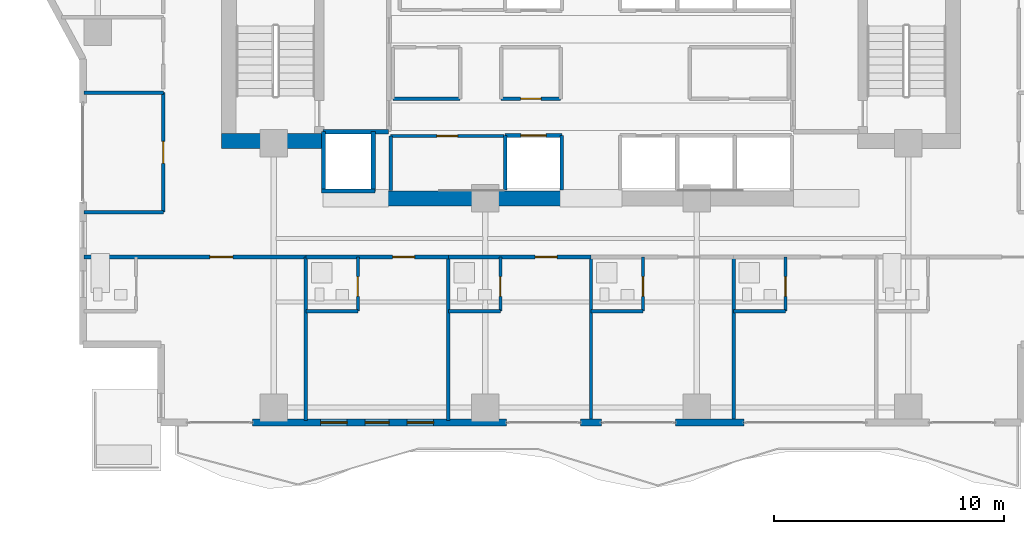
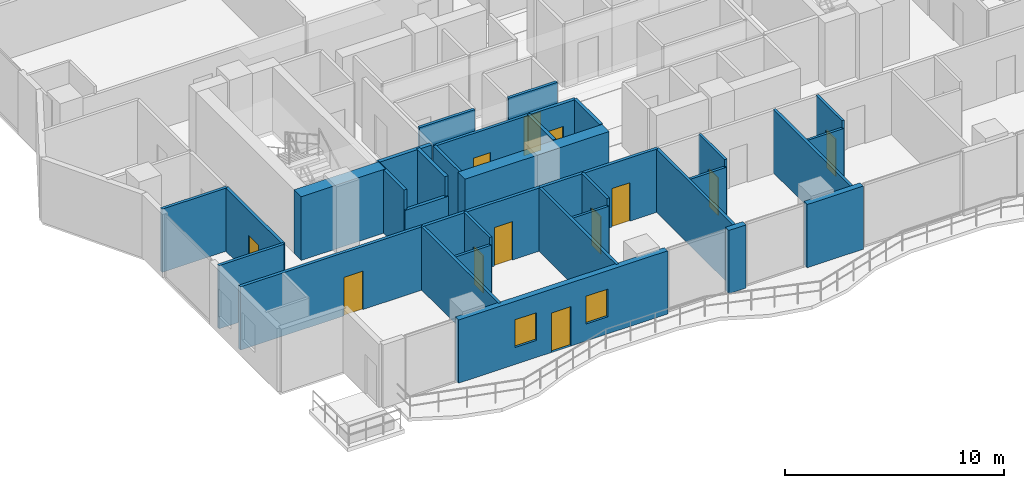
# One storey, part 24 of 32: 34 walls, 12 doors, 2 windows, 14 openings.
"""IFC4 building model written with IfcOpenShell, lengths in metres."""

import ifcopenshell
import ifcopenshell.guid

model = None  # the IFC model being written
_history = None  # IfcOwnerHistory: only IFC2X3 demands one
_inside = {}  # id of a spatial element -> (the spatial element, [elements in it])
_under = {}  # id of a project, library or spatial element -> (it, [spatial elements below it])
_declared = {}  # id of a project -> (the project, [libraries it declares])
_typed = {}  # id of a type object -> (the type object, [elements of that type])
_made_of = {}  # id of a material, layer set ... -> (it, [elements and type objects made of it])


def new_model(schema):
    """Start an empty IFC model of exactly this schema.

    Asked for "IFC4X3", IfcOpenShell would pick the latest addendum, in which some entities
    have other attributes; the version numbers below select the first issue.
    IFC2X3 requires an IfcOwnerHistory on every rooted entity: one is made here for all.
    """
    global model, _history
    if schema == "IFC4X3":
        model = ifcopenshell.file(schema_version=(4, 3, 0, 0))
    else:
        model = ifcopenshell.file(schema=schema)
    _inside.clear()
    _under.clear()
    _declared.clear()
    _typed.clear()
    _made_of.clear()
    _history = None
    if model.schema == "IFC2X3":
        org = make("IfcOrganization", Name="unknown")
        user = make(
            "IfcPersonAndOrganization",
            ThePerson=make("IfcPerson", FamilyName="unknown"),
            TheOrganization=org,
        )
        app = make(
            "IfcApplication",
            ApplicationDeveloper=org,
            Version="unknown",
            ApplicationFullName="unknown",
            ApplicationIdentifier="unknown",
        )
        _history = make(
            "IfcOwnerHistory",
            OwningUser=user,
            OwningApplication=app,
            ChangeAction="ADDED",
            CreationDate=0,
        )
    return model


def make(cls, **values):
    """One entity of the class cls with the attributes given. An attribute that is None is left unset."""
    return model.create_entity(
        cls, **{name: value for name, value in values.items() if value is not None}
    )


def rooted(cls, **values):
    """An entity with a GlobalId (a new one), such as an element, a storey or a relation."""
    return make(cls, GlobalId=ifcopenshell.guid.new(), OwnerHistory=_history, **values)


def si_unit(unit_type, name, prefix=None):
    """IfcSIUnit, for example si_unit("LENGTHUNIT", "METRE", prefix="MILLI")."""
    return make("IfcSIUnit", UnitType=unit_type, Prefix=prefix, Name=name)


def assignment(units):
    """IfcUnitAssignment: the units of a project."""
    return None if units is None else make("IfcUnitAssignment", Units=units)


def point(xyz):
    """IfcCartesianPoint."""
    return None if xyz is None else make("IfcCartesianPoint", Coordinates=xyz)


def direction(xyz):
    """IfcDirection."""
    return None if xyz is None else make("IfcDirection", DirectionRatios=xyz)


def frame(location, z_axis=None, x_axis=None):
    """IfcAxis2Placement3D, a coordinate frame: its origin and axes. An axis left out is left unset."""
    return make(
        "IfcAxis2Placement3D",
        Location=point(location),
        Axis=direction(z_axis),
        RefDirection=direction(x_axis),
    )


def frame_2d(location, x_axis=None):
    """IfcAxis2Placement2D, a coordinate frame in the plane: its origin and x axis."""
    return make(
        "IfcAxis2Placement2D", Location=point(location), RefDirection=direction(x_axis)
    )


def origin():
    """The frame at (0, 0, 0) with its axes left unset."""
    return frame((0.0, 0.0, 0.0))


def place(relative_to, where):
    """IfcLocalPlacement: puts the frame where relative to a parent placement (None: the world)."""
    return make(
        "IfcLocalPlacement", PlacementRelTo=relative_to, RelativePlacement=where
    )


def context(
    kind, dimensions, precision=None, world=None, true_north=None, identifier=None
):
    """IfcGeometricRepresentationContext, for example the 3D "Model" context."""
    return make(
        "IfcGeometricRepresentationContext",
        ContextIdentifier=identifier,
        ContextType=kind,
        CoordinateSpaceDimension=dimensions,
        Precision=precision,
        WorldCoordinateSystem=world,
        TrueNorth=true_north,
    )


def subcontext(parent, identifier, kind, view, scale=None):
    """IfcGeometricRepresentationSubContext, for example "Body" below "Model"."""
    return make(
        "IfcGeometricRepresentationSubContext",
        ContextIdentifier=identifier,
        ContextType=kind,
        ParentContext=parent,
        TargetScale=scale,
        TargetView=view,
    )


def project(units=None, contexts=None):
    """IfcProject with its units and contexts."""
    return rooted(
        "IfcProject",
        Name="project",
        RepresentationContexts=contexts,
        UnitsInContext=assignment(units),
    )


def spatial(cls, under=None, at=None, **own):
    """A site, building, storey or space (cls), placed at a placement, below another one or the project."""
    s = rooted(cls, ObjectPlacement=at, **own)
    if under is not None:
        _under.setdefault(under.id(), (under, []))[1].append(s)
    return s


def profile(cls, at=None, kind="AREA", **sizes):
    """A parametric profile (cls). Its sizes go by their IFC names, for example OverallWidth=200.0."""
    return make(cls, ProfileType=kind, Position=at, **sizes)


def rectangle(**sizes):
    """IfcRectangleProfileDef."""
    return profile("IfcRectangleProfileDef", **sizes)


def extrude(swept, where, along, depth):
    """IfcExtrudedAreaSolid: the profile swept, set in the frame where, extruded along a direction by depth."""
    return make(
        "IfcExtrudedAreaSolid",
        SweptArea=swept,
        Position=where,
        ExtrudedDirection=direction(along),
        Depth=depth,
    )


def shape(context_of_items, identifier, shape_type, items):
    """IfcShapeRepresentation: the items that make up one representation, for example the "Body"."""
    return make(
        "IfcShapeRepresentation",
        ContextOfItems=context_of_items,
        RepresentationIdentifier=identifier,
        RepresentationType=shape_type,
        Items=items,
    )


def material(Name=None, Category=None):
    """IfcMaterial."""
    return make("IfcMaterial", Name=Name, Category=Category)


def layer(
    of_material, thickness, ventilated=None, Name=None, Category=None, Priority=None
):
    """IfcMaterialLayer: one layer of a wall or slab, of a material (None: an air gap)."""
    return make(
        "IfcMaterialLayer",
        Material=of_material,
        LayerThickness=thickness,
        IsVentilated=ventilated,
        Name=Name,
        Category=Category,
        Priority=Priority,
    )


def layer_set(layers, Name=None):
    """IfcMaterialLayerSet."""
    return make("IfcMaterialLayerSet", MaterialLayers=layers, LayerSetName=Name)


def made_of(thing, what):
    """Note that an element or type object is made of a material, layer set ...; save() writes the relation."""
    if what is not None:
        _made_of.setdefault(what.id(), (what, []))[1].append(thing)
    return thing


def type_object(cls, material=None, **own):
    """A type object (cls), such as IfcWallType, which elements share."""
    return made_of(rooted(cls, **own), material)


def element(
    cls,
    number,
    at=None,
    inside=None,
    cuts=None,
    type_object=None,
    material=None,
    context=None,
    identifier="Body",
    shape_type=None,
    held_by="IfcProductDefinitionShape",
    body=None,
    shapes=None,
    **own,
):
    """One element of the class cls, such as IfcWall. Its Tag is "e" and its number.

    at: its placement. inside: the storey or other place that contains it. cuts: it is an
    opening in that element (IfcRelVoidsElement). A single representation is given by context,
    identifier, shape_type and body (its items); several are given by shapes. held_by: the class
    of the entity that holds the representations. save() writes the other relations.
    """
    e = rooted(cls, Tag="e%d" % number, ObjectPlacement=at, **own)
    if body is not None:
        shapes = [shape(context, identifier, shape_type, body)]
    if shapes is not None:
        e.Representation = make(held_by, Representations=shapes)
    if inside is not None:
        _inside.setdefault(inside.id(), (inside, []))[1].append(e)
    if cuts is not None:
        rooted(
            "IfcRelVoidsElement", RelatingBuildingElement=cuts, RelatedOpeningElement=e
        )
    if type_object is not None:
        _typed.setdefault(type_object.id(), (type_object, []))[1].append(e)
    return made_of(e, material)


def fill(opening, filler):
    """IfcRelFillsElement: the door or window that sits in an opening."""
    return rooted(
        "IfcRelFillsElement",
        RelatingOpeningElement=opening,
        RelatedBuildingElement=filler,
    )


def aggregate(whole, parts):
    """IfcRelAggregates: a whole, such as a stair, and the parts it consists of."""
    return rooted("IfcRelAggregates", RelatingObject=whole, RelatedObjects=parts)


def save(model, path):
    """Write the relations noted so far, then the file.

    IfcRelAggregates (storeys below a building ...), IfcRelContainedInSpatialStructure (elements
    in a storey), IfcRelDefinesByType, IfcRelAssociatesMaterial and IfcRelDeclares: one each for
    every whole, place, type object, material and project.
    """
    for whole, parts in _under.values():
        aggregate(whole, parts)
    for where, things in _inside.values():
        rooted(
            "IfcRelContainedInSpatialStructure",
            RelatedElements=things,
            RelatingStructure=where,
        )
    for kind, things in _typed.values():
        rooted("IfcRelDefinesByType", RelatedObjects=things, RelatingType=kind)
    for what, things in _made_of.values():
        rooted("IfcRelAssociatesMaterial", RelatedObjects=things, RelatingMaterial=what)
    for by, libraries in _declared.values():
        rooted("IfcRelDeclares", RelatingContext=by, RelatedDefinitions=libraries)
    model.write(path)


model = new_model("IFC4")

# Units and contexts
model_context = context("Model", 3, precision=1e-05, world=origin(), true_north=direction((0.0, 1.0)))
body_context = subcontext(model_context, "Body", "Model", "MODEL_VIEW")
ifc_project = project(units=[si_unit("LENGTHUNIT", "METRE"), si_unit("AREAUNIT", "SQUARE_METRE"), si_unit("VOLUMEUNIT", "CUBIC_METRE"), si_unit("PLANEANGLEUNIT", "RADIAN"), si_unit("MASSUNIT", "GRAM", prefix="KILO")], contexts=[model_context])

# Site, building, storey
site_placement = place(None, origin())
site = spatial("IfcSite", under=ifc_project, at=site_placement, CompositionType="ELEMENT")
building_placement = place(site_placement, origin())
building = spatial("IfcBuilding", under=site, at=building_placement, Name="Zuhayl Quay Hotel", CompositionType="ELEMENT")
storey_placement = place(building_placement, frame((0.0, 0.0, 196.14990234375)))
storey = spatial("IfcBuildingStorey", under=building, at=storey_placement, Name="L49", CompositionType="ELEMENT", Elevation=196.14990234375)

# Walls
ifc_material_1 = material(Name="Concrete C50/60", Category="concrete")
ifc_layer_1 = layer(ifc_material_1, 0.64990234375, Name="Concrete C50/60", Category="concrete")
ifc_layer_set_1 = layer_set([ifc_layer_1], Name="Concrete C50/60")
wall_type_1 = type_object("IfcWallType", Name="WL_CORE_650", PredefinedType="SHEAR", material=ifc_layer_set_1)
wall_1_placement = place(storey_placement, frame((-16.06005859375, 4.64501953125, 0.0), z_axis=(0.0, 0.0, 1.0), x_axis=(1.0, 0.0, 0.0)))
element("IfcWall", 1, at=wall_1_placement, inside=storey, type_object=wall_type_1, Name="L49 Core Shear Wall CW_SW", PredefinedType="SHEAR", context=body_context, shape_type="SweptSolid", body=[
    extrude(rectangle(XDim=4.4599609375, YDim=0.64990234375, at=frame_2d((2.22998046875, 0.0))), origin(), (0.0, 0.0, 1.0), 3.56005859375),
])
wall_2_placement = place(storey_placement, frame((-8.85009765625, 2.14990234375, 0.0), z_axis=(0.0, 0.0, 1.0), x_axis=(1.0, 0.0, 0.0)))
element("IfcWall", 2, at=wall_2_placement, inside=storey, type_object=wall_type_1, Name="L49 Core Shear Wall CW_SC_W", PredefinedType="SHEAR", context=body_context, shape_type="SweptSolid", body=[
    extrude(rectangle(XDim=7.60009765625, YDim=0.64990234375, at=frame_2d((3.800048828125, 0.0))), origin(), (0.0, 0.0, 1.0), 3.530029296875),
])
ifc_material_2 = material(Name="Precast concrete C45/55", Category="concrete")
ifc_layer_2 = layer(ifc_material_2, 0.300048828125, Name="Precast concrete C45/55", Category="concrete")
ifc_layer_set_2 = layer_set([ifc_layer_2], Name="Precast concrete C45/55")
wall_type_2 = type_object("IfcWallType", Name="WL_EXT_300", PredefinedType="STANDARD", material=ifc_layer_set_2)
wall_3_placement = place(storey_placement, frame((6.64990234375, -7.60009765625, 0.0), z_axis=(0.0, 0.0, 1.0), x_axis=(-1.0, 0.0, 0.0)))
element("IfcWall", 3, at=wall_3_placement, inside=storey, type_object=wall_type_2, Name="L49 Exterior Precast Wall ENV_L49_S_EW3", PredefinedType="STANDARD", context=body_context, shape_type="SweptSolid", body=[
    extrude(rectangle(XDim=2.969970703125, YDim=0.300048828125, at=frame_2d((1.48486328125, 0.0))), origin(), (0.0, 0.0, 1.0), 3.530029296875),
])
wall_4_placement = place(storey_placement, frame((0.449951171875, -7.60009765625, 0.0), z_axis=(0.0, 0.0, 1.0), x_axis=(-1.0, 0.0, 0.0)))
element("IfcWall", 4, at=wall_4_placement, inside=storey, type_object=wall_type_2, Name="L49 Exterior Precast Wall ENV_L49_S_EW4", PredefinedType="STANDARD", context=body_context, shape_type="SweptSolid", body=[
    extrude(rectangle(XDim=0.89990234375, YDim=0.300048828125, at=frame_2d((0.449951171875, 0.0))), origin(), (0.0, 0.0, 1.0), 3.530029296875),
])

# Wall, openings, door, windows
wall_5_placement = place(storey_placement, frame((-3.679931640625, -7.60009765625, 0.0), z_axis=(0.0, 0.0, 1.0), x_axis=(-1.0, 0.0, 0.0)))
wall_5 = element("IfcWall", 5, at=wall_5_placement, inside=storey, type_object=wall_type_2, Name="L49 Exterior Precast Wall ENV_L49_S_EW5", PredefinedType="STANDARD", context=body_context, shape_type="SweptSolid", body=[
    extrude(rectangle(XDim=11.0400390625, YDim=0.300048828125, at=frame_2d((5.52001953125, 0.0))), origin(), (0.0, 0.0, 1.0), 3.530029296875),
])
opening_1_placement = place(wall_5_placement, frame((5.094970703125, 0.0, 0.0)))
opening_1 = element("IfcOpeningElement", 6, at=opening_1_placement, cuts=wall_5, Name="Opening DG1", PredefinedType="OPENING", context=body_context, shape_type="SweptSolid", body=[
    extrude(rectangle(XDim=1.050048828125, YDim=2.199951171875, at=frame_2d((0.52490234375, 1.10009765625))), frame((0.0, 0.159912109375, 0.0), z_axis=(0.0, -1.0, 0.0), x_axis=(1.0, 0.0, 0.0)), (0.0, 0.0, 1.0), 0.320068359375),
])
opening_2_placement = place(wall_5_placement, frame((3.16748046875, 0.0, 0.949951171875)))
opening_2 = element("IfcOpeningElement", 7, at=opening_2_placement, cuts=wall_5, Name="Opening W01N", PredefinedType="OPENING", context=body_context, shape_type="SweptSolid", body=[
    extrude(rectangle(XDim=1.14990234375, YDim=1.550048828125, at=frame_2d((0.574951171875, 0.77490234375))), frame((0.0, 0.159912109375, 0.0), z_axis=(0.0, -1.0, 0.0), x_axis=(1.0, 0.0, 0.0)), (0.0, 0.0, 1.0), 0.320068359375),
])
opening_3_placement = place(wall_5_placement, frame((6.922607421875, 0.0, 0.949951171875)))
opening_3 = element("IfcOpeningElement", 8, at=opening_3_placement, cuts=wall_5, Name="Opening W01N", PredefinedType="OPENING", context=body_context, shape_type="SweptSolid", body=[
    extrude(rectangle(XDim=1.14990234375, YDim=1.550048828125, at=frame_2d((0.574951171875, 0.77490234375))), frame((0.0, 0.159912109375, 0.0), z_axis=(0.0, -1.0, 0.0), x_axis=(1.0, 0.0, 0.0)), (0.0, 0.0, 1.0), 0.320068359375),
])
ifc_material_3 = material(Name="Anodised Aluminium and Dark Solar Glass", Category="aluminium")
door_type_1 = type_object("IfcDoorType", Name="DR_EXT_TERR_1050", OperationType="NOTDEFINED", PredefinedType="DOOR", material=ifc_material_3)
door_1_placement = place(opening_1_placement, origin())
door_1 = element("IfcDoor", 9, at=door_1_placement, inside=storey, type_object=door_type_1, Name="L49 South Rippling Balcony Door", OperationType="SINGLE_SWING_RIGHT", OverallHeight=2.199951171875, OverallWidth=1.050048828125, PredefinedType="DOOR", context=body_context, shape_type="SweptSolid", body=[
    extrude(rectangle(XDim=1.050048828125, YDim=2.199951171875, at=frame_2d((0.52490234375, 1.10009765625))), frame((0.0, 0.02490234375, 0.0), z_axis=(0.0, -1.0, 0.0), x_axis=(1.0, 0.0, 0.0)), (0.0, 0.0, 1.0), 0.050048828125),
])
fill(opening_1, door_1)
ifc_material_4 = material(Name="Dark Ceramic-Fritted Solar Glass", Category="glass")
window_type = type_object("IfcWindowType", Name="WN_NOTCH_1350", PartitioningType="SINGLE_PANEL", PredefinedType="WINDOW", material=ifc_material_4)
window_1_placement = place(opening_2_placement, origin())
window_1 = element("IfcWindow", 10, at=window_1_placement, inside=storey, type_object=window_type, Name="L49 Operable Facade Window 5-1", OverallHeight=1.550048828125, OverallWidth=1.14990234375, PartitioningType="SINGLE_PANEL", PredefinedType="WINDOW", context=body_context, shape_type="SweptSolid", body=[
    extrude(rectangle(XDim=1.14990234375, YDim=1.550048828125, at=frame_2d((0.574951171875, 0.77490234375))), frame((0.0, 0.030029296875, 0.0), z_axis=(0.0, -1.0, 0.0), x_axis=(1.0, 0.0, 0.0)), (0.0, 0.0, 1.0), 0.06005859375),
])
fill(opening_2, window_1)
window_2_placement = place(opening_3_placement, origin())
window_2 = element("IfcWindow", 11, at=window_2_placement, inside=storey, type_object=window_type, Name="L49 Operable Facade Window 5-2", OverallHeight=1.550048828125, OverallWidth=1.14990234375, PartitioningType="SINGLE_PANEL", PredefinedType="WINDOW", context=body_context, shape_type="SweptSolid", body=[
    extrude(rectangle(XDim=1.14990234375, YDim=1.550048828125, at=frame_2d((0.574951171875, 0.77490234375))), frame((0.0, 0.030029296875, 0.0), z_axis=(0.0, -1.0, 0.0), x_axis=(1.0, 0.0, 0.0)), (0.0, 0.0, 1.0), 0.06005859375),
])
fill(opening_3, window_2)

# Wall, opening, door
ifc_material_5 = material(Name="Acoustic Gypsum Partition STC-58")
ifc_layer_3 = layer(ifc_material_5, 0.14990234375, Name="Acoustic Gypsum Partition STC-58")
ifc_layer_set_3 = layer_set([ifc_layer_3], Name="Acoustic Gypsum Partition STC-58")
wall_type_3 = type_object("IfcWallType", Name="WL_PART_150", PredefinedType="PARTITIONING", material=ifc_layer_set_3)
wall_6_placement = place(storey_placement, frame((-8.7099609375, 4.860107421875, 0.0), z_axis=(0.0, 0.0, 1.0), x_axis=(1.0, 0.0, 0.0)))
wall_6 = element("IfcWall", 12, at=wall_6_placement, inside=storey, type_object=wall_type_3, Name="L49 Partition IW_L49_FLP_S_N", PredefinedType="PARTITIONING", context=body_context, shape_type="SweptSolid", body=[
    extrude(rectangle(XDim=4.919921875, YDim=0.14990234375, at=frame_2d((2.4599609375, 0.0))), origin(), (0.0, 0.0, 1.0), 3.530029296875),
])
opening_4_placement = place(wall_6_placement, frame((2.010009765625, 0.0, 0.0)))
opening_4 = element("IfcOpeningElement", 13, at=opening_4_placement, cuts=wall_6, Name="Opening D06", PredefinedType="OPENING", context=body_context, shape_type="SweptSolid", body=[
    extrude(rectangle(XDim=0.89990234375, YDim=2.14990234375, at=frame_2d((0.449951171875, 1.074951171875))), frame((0.0, 0.0849609375, 0.0), z_axis=(0.0, -1.0, 0.0), x_axis=(1.0, 0.0, 0.0)), (0.0, 0.0, 1.0), 0.169921875),
])
ifc_material_6 = material(Name="Steel ASTM A992 Grade 50", Category="steel")
door_type_2 = type_object("IfcDoorType", Name="DR_INT_900", OperationType="NOTDEFINED", PredefinedType="DOOR", material=ifc_material_6)
door_2_placement = place(opening_4_placement, origin())
door_2 = element("IfcDoor", 14, at=door_2_placement, inside=storey, type_object=door_type_2, Name="L49 Executive Servery Door", OperationType="SINGLE_SWING_LEFT", OverallHeight=2.14990234375, OverallWidth=0.89990234375, PredefinedType="DOOR", context=body_context, shape_type="SweptSolid", body=[
    extrude(rectangle(XDim=0.89990234375, YDim=2.14990234375, at=frame_2d((0.449951171875, 1.074951171875))), frame((0.0, 0.02490234375, 0.0), z_axis=(0.0, -1.0, 0.0), x_axis=(1.0, 0.0, 0.0)), (0.0, 0.0, 1.0), 0.050048828125),
])
fill(opening_4, door_2)

wall_7_placement = place(storey_placement, frame((-3.909912109375, 6.47998046875, 0.0), z_axis=(0.0, 0.0, 1.0), x_axis=(1.0, 0.0, 0.0)))
wall_7 = element("IfcWall", 15, at=wall_7_placement, inside=storey, type_object=wall_type_3, Name="L49 Partition IW_L49_CORE_BC_S", PredefinedType="PARTITIONING", context=body_context, shape_type="SweptSolid", body=[
    extrude(rectangle(XDim=2.58984375, YDim=0.14990234375, at=frame_2d((1.294921875, 0.0))), origin(), (0.0, 0.0, 1.0), 3.530029296875),
])
opening_5_placement = place(wall_7_placement, frame((0.844970703125, 0.0, 0.0)))
opening_5 = element("IfcOpeningElement", 16, at=opening_5_placement, cuts=wall_7, Name="Opening D06", PredefinedType="OPENING", context=body_context, shape_type="SweptSolid", body=[
    extrude(rectangle(XDim=0.89990234375, YDim=2.14990234375, at=frame_2d((0.449951171875, 1.074951171875))), frame((0.0, 0.0849609375, 0.0), z_axis=(0.0, -1.0, 0.0), x_axis=(1.0, 0.0, 0.0)), (0.0, 0.0, 1.0), 0.169921875),
])
door_3_placement = place(opening_5_placement, origin())
door_3 = element("IfcDoor", 17, at=door_3_placement, inside=storey, type_object=door_type_2, Name="L49 BMS Control Closet Door", OperationType="SINGLE_SWING_RIGHT", OverallHeight=2.14990234375, OverallWidth=0.89990234375, PredefinedType="DOOR", context=body_context, shape_type="SweptSolid", body=[
    extrude(rectangle(XDim=0.89990234375, YDim=2.14990234375, at=frame_2d((0.449951171875, 1.074951171875))), frame((0.0, 0.02490234375, 0.0), z_axis=(0.0, -1.0, 0.0), x_axis=(1.0, 0.0, 0.0)), (0.0, 0.0, 1.0), 0.050048828125),
])
fill(opening_5, door_3)

# Walls
wall_8_placement = place(storey_placement, frame((-8.7099609375, 2.489990234375, 0.0), z_axis=(0.0, 0.0, 1.0), x_axis=(0.0, 1.0, 0.0)))
element("IfcWall", 18, at=wall_8_placement, inside=storey, type_object=wall_type_3, Name="L49 Partition IW_L49_FLP_S_W", PredefinedType="PARTITIONING", context=body_context, shape_type="SweptSolid", body=[
    extrude(rectangle(XDim=2.3701171875, YDim=0.14990234375, at=frame_2d((1.18505859375, 0.0))), origin(), (0.0, 0.0, 1.0), 3.530029296875),
])
wall_9_placement = place(storey_placement, frame((-8.610107421875, 6.47998046875, 0.0), z_axis=(0.0, 0.0, 1.0), x_axis=(1.0, 0.0, 0.0)))
element("IfcWall", 19, at=wall_9_placement, inside=storey, type_object=wall_type_3, Name="L49 Partition IW_L49_CORE_HK_S", PredefinedType="PARTITIONING", context=body_context, shape_type="SweptSolid", body=[
    extrude(rectangle(XDim=2.920166015625, YDim=0.14990234375, at=frame_2d((1.4599609375, 0.0))), origin(), (0.0, 0.0, 1.0), 3.530029296875),
])
for number, where, z_axis, x_axis, name in (
    (20, (-12.39990234375, -7.52001953125, 0.0), (0.0, 0.0, 1.0), (0.0, 1.0, 0.0), "L49 Partition IW_L49_SU01_E"),
    (21, (-6.199951171875, -7.52001953125, 0.0), (0.0, 0.0, 1.0), (0.0, 1.0, 0.0), "L49 Partition IW_L49_SU02_E"),
    (22, (0.0, -7.52001953125, 0.0), (0.0, 0.0, 1.0), (0.0, 1.0, 0.0), "L49 Partition IW_L49_SU03_E"),
    (23, (6.199951171875, -7.52001953125, 0.0), (0.0, 0.0, 1.0), (0.0, 1.0, 0.0), "L49 Partition IW_L49_SU04_E"),
):
    element("IfcWall", number, at=place(storey_placement, frame(where, z_axis=z_axis, x_axis=x_axis)), inside=storey, type_object=wall_type_3, Name=name, PredefinedType="PARTITIONING", context=body_context, shape_type="SweptSolid", body=[
        extrude(rectangle(XDim=7.1201171875, YDim=0.14990234375, at=frame_2d((3.56005859375, 0.0))), origin(), (0.0, 0.0, 1.0), 3.530029296875),
    ])
for number, where, z_axis, x_axis, name in (
    (24, (-22.0400390625, 1.550048828125, 0.0), (0.0, 0.0, 1.0), (1.0, 0.0, 0.0), "L49 Partition IW_L49_WPROW_1_S"),
    (25, (-22.0400390625, 6.75, 0.0), (0.0, 0.0, 1.0), (1.0, 0.0, 0.0), "L49 Partition IW_L49_WPROW_1_N"),
):
    element("IfcWall", number, at=place(storey_placement, frame(where, z_axis=z_axis, x_axis=x_axis)), inside=storey, type_object=wall_type_3, Name=name, PredefinedType="PARTITIONING", context=body_context, shape_type="SweptSolid", body=[
        extrude(rectangle(XDim=3.43994140625, YDim=0.14990234375, at=frame_2d((1.719970703125, 0.0))), origin(), (0.0, 0.0, 1.0), 3.530029296875),
    ])

# Wall, opening, door
ifc_layer_4 = layer(ifc_material_5, 0.159912109375, Name="Acoustic Gypsum Partition STC-58")
ifc_layer_set_4 = layer_set([ifc_layer_4], Name="Acoustic Gypsum Partition STC-58")
wall_type_4 = type_object("IfcWallType", Name="WL_PART_CORR_160", PredefinedType="PARTITIONING", material=ifc_layer_set_4)
wall_10_placement = place(storey_placement, frame((-22.0400390625, -0.39990234375, 0.0), z_axis=(0.0, 0.0, 1.0), x_axis=(1.0, 0.0, 0.0)))
wall_10 = element("IfcWall", 26, at=wall_10_placement, inside=storey, type_object=wall_type_4, Name="L49 Partition IW_L49_SU01_COR", PredefinedType="PARTITIONING", context=body_context, shape_type="SweptSolid", body=[
    extrude(rectangle(XDim=9.64013671875, YDim=0.159912109375, at=frame_2d((4.820068359375, 0.0))), origin(), (0.0, 0.0, 1.0), 3.530029296875),
])
opening_6_placement = place(wall_10_placement, frame((5.469970703125, 0.0, 0.0)))
opening_6 = element("IfcOpeningElement", 27, at=opening_6_placement, cuts=wall_10, Name="Opening D03L", PredefinedType="OPENING", context=body_context, shape_type="SweptSolid", body=[
    extrude(rectangle(XDim=1.0, YDim=2.14990234375, at=frame_2d((0.5, 1.074951171875))), frame((0.0, 0.08984375, 0.0), z_axis=(0.0, -1.0, 0.0), x_axis=(1.0, 0.0, 0.0)), (0.0, 0.0, 1.0), 0.179931640625),
])
ifc_material_7 = material(Name="Solid Walnut Acoustic Fire Door")
door_type_3 = type_object("IfcDoorType", Name="DR_SUITE_1000", OperationType="NOTDEFINED", PredefinedType="DOOR", material=ifc_material_7)
door_4_placement = place(opening_6_placement, origin())
door_4 = element("IfcDoor", 28, at=door_4_placement, inside=storey, type_object=door_type_3, Name="L49 Premier Twin Guest Room L49-01 Entrance Door", OperationType="SINGLE_SWING_RIGHT", OverallHeight=2.14990234375, OverallWidth=1.0, PredefinedType="DOOR", context=body_context, shape_type="SweptSolid", body=[
    extrude(rectangle(XDim=1.0, YDim=2.14990234375, at=frame_2d((0.5, 1.074951171875))), frame((0.0, 0.02490234375, 0.0), z_axis=(0.0, -1.0, 0.0), x_axis=(1.0, 0.0, 0.0)), (0.0, 0.0, 1.0), 0.050048828125),
])
fill(opening_6, door_4)

wall_11_placement = place(storey_placement, frame((-12.39990234375, -0.39990234375, 0.0), z_axis=(0.0, 0.0, 1.0), x_axis=(1.0, 0.0, 0.0)))
wall_11 = element("IfcWall", 29, at=wall_11_placement, inside=storey, type_object=wall_type_4, Name="L49 Partition IW_L49_SU02_COR", PredefinedType="PARTITIONING", context=body_context, shape_type="SweptSolid", body=[
    extrude(rectangle(XDim=6.199951171875, YDim=0.159912109375, at=frame_2d((3.10009765625, 0.0))), origin(), (0.0, 0.0, 1.0), 3.530029296875),
])
opening_7_placement = place(wall_11_placement, frame((3.77490234375, 0.0, 0.0)))
opening_7 = element("IfcOpeningElement", 30, at=opening_7_placement, cuts=wall_11, Name="Opening D03", PredefinedType="OPENING", context=body_context, shape_type="SweptSolid", body=[
    extrude(rectangle(XDim=0.949951171875, YDim=2.14990234375, at=frame_2d((0.47509765625, 1.074951171875))), frame((0.0, 0.08984375, 0.0), z_axis=(0.0, -1.0, 0.0), x_axis=(1.0, 0.0, 0.0)), (0.0, 0.0, 1.0), 0.179931640625),
])
door_type_4 = type_object("IfcDoorType", Name="DR_SUITE_950", OperationType="NOTDEFINED", PredefinedType="DOOR", material=ifc_material_7)
door_5_placement = place(opening_7_placement, origin())
door_5 = element("IfcDoor", 31, at=door_5_placement, inside=storey, type_object=door_type_4, Name="L49 Premier Twin Guest Room L49-02 Entrance Door", OperationType="SINGLE_SWING_RIGHT", OverallHeight=2.14990234375, OverallWidth=0.949951171875, PredefinedType="DOOR", context=body_context, shape_type="SweptSolid", body=[
    extrude(rectangle(XDim=0.949951171875, YDim=2.14990234375, at=frame_2d((0.47509765625, 1.074951171875))), frame((0.0, 0.02490234375, 0.0), z_axis=(0.0, -1.0, 0.0), x_axis=(1.0, 0.0, 0.0)), (0.0, 0.0, 1.0), 0.050048828125),
])
fill(opening_7, door_5)

wall_12_placement = place(storey_placement, frame((-6.199951171875, -0.39990234375, 0.0), z_axis=(0.0, 0.0, 1.0), x_axis=(1.0, 0.0, 0.0)))
wall_12 = element("IfcWall", 32, at=wall_12_placement, inside=storey, type_object=wall_type_4, Name="L49 Partition IW_L49_SU03_COR", PredefinedType="PARTITIONING", context=body_context, shape_type="SweptSolid", body=[
    extrude(rectangle(XDim=6.199951171875, YDim=0.159912109375, at=frame_2d((3.10009765625, 0.0))), origin(), (0.0, 0.0, 1.0), 3.530029296875),
])
opening_8_placement = place(wall_12_placement, frame((3.77490234375, 0.0, 0.0)))
opening_8 = element("IfcOpeningElement", 33, at=opening_8_placement, cuts=wall_12, Name="Opening D03", PredefinedType="OPENING", context=body_context, shape_type="SweptSolid", body=[
    extrude(rectangle(XDim=0.949951171875, YDim=2.14990234375, at=frame_2d((0.47509765625, 1.074951171875))), frame((0.0, 0.08984375, 0.0), z_axis=(0.0, -1.0, 0.0), x_axis=(1.0, 0.0, 0.0)), (0.0, 0.0, 1.0), 0.179931640625),
])
door_6_placement = place(opening_8_placement, origin())
door_6 = element("IfcDoor", 34, at=door_6_placement, inside=storey, type_object=door_type_4, Name="L49 Premier Twin Guest Room L49-03 Entrance Door", OperationType="SINGLE_SWING_RIGHT", OverallHeight=2.14990234375, OverallWidth=0.949951171875, PredefinedType="DOOR", context=body_context, shape_type="SweptSolid", body=[
    extrude(rectangle(XDim=0.949951171875, YDim=2.14990234375, at=frame_2d((0.47509765625, 1.074951171875))), frame((0.0, 0.02490234375, 0.0), z_axis=(0.0, -1.0, 0.0), x_axis=(1.0, 0.0, 0.0)), (0.0, 0.0, 1.0), 0.050048828125),
])
fill(opening_8, door_6)

wall_13_placement = place(storey_placement, frame((-18.60009765625, 1.550048828125, 0.0), z_axis=(0.0, 0.0, 1.0), x_axis=(0.0, 1.0, 0.0)))
wall_13 = element("IfcWall", 35, at=wall_13_placement, inside=storey, type_object=wall_type_4, Name="L49 Partition IW_L49_WPROW_1_E", PredefinedType="PARTITIONING", context=body_context, shape_type="SweptSolid", body=[
    extrude(rectangle(XDim=5.199951171875, YDim=0.159912109375, at=frame_2d((2.60009765625, 0.0))), origin(), (0.0, 0.0, 1.0), 3.530029296875),
])
opening_9_placement = place(wall_13_placement, frame((2.125, 0.0, 0.0)))
opening_9 = element("IfcOpeningElement", 36, at=opening_9_placement, cuts=wall_13, Name="Opening D03", PredefinedType="OPENING", context=body_context, shape_type="SweptSolid", body=[
    extrude(rectangle(XDim=0.949951171875, YDim=2.14990234375, at=frame_2d((0.47509765625, 1.074951171875))), frame((0.0, 0.08984375, 0.0), z_axis=(0.0, -1.0, 0.0), x_axis=(1.0, 0.0, 0.0)), (0.0, 0.0, 1.0), 0.179931640625),
])
door_7_placement = place(opening_9_placement, origin())
door_7 = element("IfcDoor", 37, at=door_7_placement, inside=storey, type_object=door_type_4, Name="L49 West Prow Office L49 Door", OperationType="SINGLE_SWING_LEFT", OverallHeight=2.14990234375, OverallWidth=0.949951171875, PredefinedType="DOOR", context=body_context, shape_type="SweptSolid", body=[
    extrude(rectangle(XDim=0.949951171875, YDim=2.14990234375, at=frame_2d((0.47509765625, 1.074951171875))), frame((0.0, 0.02490234375, 0.0), z_axis=(0.0, -1.0, 0.0), x_axis=(1.0, 0.0, 0.0)), (0.0, 0.0, 1.0), 0.050048828125),
])
fill(opening_9, door_7)

ifc_material_8 = material(Name="Moisture-Resistant Sanitarychase Gypsum")
ifc_layer_5 = layer(ifc_material_8, 0.135009765625, Name="Moisture-Resistant Sanitarychase Gypsum")
ifc_layer_set_5 = layer_set([ifc_layer_5], Name="Moisture-Resistant Sanitarychase Gypsum")
wall_type_5 = type_object("IfcWallType", Name="WL_PART_PLUMB_150", PredefinedType="PLUMBINGWALL", material=ifc_layer_set_5)
wall_14_placement = place(storey_placement, frame((-10.139892578125, -2.760009765625, 0.0), z_axis=(0.0, 0.0, 1.0), x_axis=(0.0, 1.0, 0.0)))
wall_14 = element("IfcWall", 38, at=wall_14_placement, inside=storey, type_object=wall_type_5, Name="L49 Partition IW_L49_SU02_BE", PredefinedType="PLUMBINGWALL", context=body_context, shape_type="SweptSolid", body=[
    extrude(rectangle(XDim=2.360107421875, YDim=0.135009765625, at=frame_2d((1.18017578125, 0.0))), origin(), (0.0, 0.0, 1.0), 3.530029296875),
])
opening_10_placement = place(wall_14_placement, frame((0.64990234375, 0.0, 0.0)))
opening_10 = element("IfcOpeningElement", 39, at=opening_10_placement, cuts=wall_14, Name="Opening D04", PredefinedType="OPENING", context=body_context, shape_type="SweptSolid", body=[
    extrude(rectangle(XDim=0.85009765625, YDim=2.10009765625, at=frame_2d((0.425048828125, 1.050048828125))), frame((0.0, 0.077392578125, 0.0), z_axis=(0.0, -1.0, 0.0), x_axis=(1.0, 0.0, 0.0)), (0.0, 0.0, 1.0), 0.155029296875),
])
ifc_material_9 = material(Name="Moisture-Resistant Walnut Veneer")
door_type_5 = type_object("IfcDoorType", Name="DR_BATH_850", OperationType="NOTDEFINED", PredefinedType="DOOR", material=ifc_material_9)
door_8_placement = place(opening_10_placement, origin())
door_8 = element("IfcDoor", 40, at=door_8_placement, inside=storey, type_object=door_type_5, Name="L49 Premier Twin Guest Room L49-02 En-Suite Door", OperationType="SINGLE_SWING_LEFT", OverallHeight=2.10009765625, OverallWidth=0.85009765625, PredefinedType="DOOR", context=body_context, shape_type="SweptSolid", body=[
    extrude(rectangle(XDim=0.85009765625, YDim=2.10009765625, at=frame_2d((0.425048828125, 1.050048828125))), frame((0.0, 0.02490234375, 0.0), z_axis=(0.0, -1.0, 0.0), x_axis=(1.0, 0.0, 0.0)), (0.0, 0.0, 1.0), 0.050048828125),
])
fill(opening_10, door_8)

wall_15_placement = place(storey_placement, frame((-3.93994140625, -2.760009765625, 0.0), z_axis=(0.0, 0.0, 1.0), x_axis=(0.0, 1.0, 0.0)))
wall_15 = element("IfcWall", 41, at=wall_15_placement, inside=storey, type_object=wall_type_5, Name="L49 Partition IW_L49_SU03_BE", PredefinedType="PLUMBINGWALL", context=body_context, shape_type="SweptSolid", body=[
    extrude(rectangle(XDim=2.360107421875, YDim=0.135009765625, at=frame_2d((1.18017578125, 0.0))), origin(), (0.0, 0.0, 1.0), 3.530029296875),
])
opening_11_placement = place(wall_15_placement, frame((0.64990234375, 0.0, 0.0)))
opening_11 = element("IfcOpeningElement", 42, at=opening_11_placement, cuts=wall_15, Name="Opening D04", PredefinedType="OPENING", context=body_context, shape_type="SweptSolid", body=[
    extrude(rectangle(XDim=0.85009765625, YDim=2.10009765625, at=frame_2d((0.425048828125, 1.050048828125))), frame((0.0, 0.077392578125, 0.0), z_axis=(0.0, -1.0, 0.0), x_axis=(1.0, 0.0, 0.0)), (0.0, 0.0, 1.0), 0.155029296875),
])
door_9_placement = place(opening_11_placement, origin())
door_9 = element("IfcDoor", 43, at=door_9_placement, inside=storey, type_object=door_type_5, Name="L49 Premier Twin Guest Room L49-03 En-Suite Door", OperationType="SINGLE_SWING_LEFT", OverallHeight=2.10009765625, OverallWidth=0.85009765625, PredefinedType="DOOR", context=body_context, shape_type="SweptSolid", body=[
    extrude(rectangle(XDim=0.85009765625, YDim=2.10009765625, at=frame_2d((0.425048828125, 1.050048828125))), frame((0.0, 0.02490234375, 0.0), z_axis=(0.0, -1.0, 0.0), x_axis=(1.0, 0.0, 0.0)), (0.0, 0.0, 1.0), 0.050048828125),
])
fill(opening_11, door_9)

wall_16_placement = place(storey_placement, frame((2.260009765625, -2.760009765625, 0.0), z_axis=(0.0, 0.0, 1.0), x_axis=(0.0, 1.0, 0.0)))
wall_16 = element("IfcWall", 44, at=wall_16_placement, inside=storey, type_object=wall_type_5, Name="L49 Partition IW_L49_SU04_BE", PredefinedType="PLUMBINGWALL", context=body_context, shape_type="SweptSolid", body=[
    extrude(rectangle(XDim=2.360107421875, YDim=0.135009765625, at=frame_2d((1.18017578125, 0.0))), origin(), (0.0, 0.0, 1.0), 3.530029296875),
])
opening_12_placement = place(wall_16_placement, frame((0.64990234375, 0.0, 0.0)))
opening_12 = element("IfcOpeningElement", 45, at=opening_12_placement, cuts=wall_16, Name="Opening D04", PredefinedType="OPENING", context=body_context, shape_type="SweptSolid", body=[
    extrude(rectangle(XDim=0.85009765625, YDim=2.10009765625, at=frame_2d((0.425048828125, 1.050048828125))), frame((0.0, 0.077392578125, 0.0), z_axis=(0.0, -1.0, 0.0), x_axis=(1.0, 0.0, 0.0)), (0.0, 0.0, 1.0), 0.155029296875),
])
door_10_placement = place(opening_12_placement, origin())
door_10 = element("IfcDoor", 46, at=door_10_placement, inside=storey, type_object=door_type_5, Name="L49 Premier Twin Guest Room L49-04 En-Suite Door", OperationType="SINGLE_SWING_LEFT", OverallHeight=2.10009765625, OverallWidth=0.85009765625, PredefinedType="DOOR", context=body_context, shape_type="SweptSolid", body=[
    extrude(rectangle(XDim=0.85009765625, YDim=2.10009765625, at=frame_2d((0.425048828125, 1.050048828125))), frame((0.0, 0.02490234375, 0.0), z_axis=(0.0, -1.0, 0.0), x_axis=(1.0, 0.0, 0.0)), (0.0, 0.0, 1.0), 0.050048828125),
])
fill(opening_12, door_10)

wall_17_placement = place(storey_placement, frame((8.4599609375, -2.760009765625, 0.0), z_axis=(0.0, 0.0, 1.0), x_axis=(0.0, 1.0, 0.0)))
wall_17 = element("IfcWall", 47, at=wall_17_placement, inside=storey, type_object=wall_type_5, Name="L49 Partition IW_L49_SU05_BE", PredefinedType="PLUMBINGWALL", context=body_context, shape_type="SweptSolid", body=[
    extrude(rectangle(XDim=2.360107421875, YDim=0.135009765625, at=frame_2d((1.18017578125, 0.0))), origin(), (0.0, 0.0, 1.0), 3.530029296875),
])
opening_13_placement = place(wall_17_placement, frame((0.64990234375, 0.0, 0.0)))
opening_13 = element("IfcOpeningElement", 48, at=opening_13_placement, cuts=wall_17, Name="Opening D04", PredefinedType="OPENING", context=body_context, shape_type="SweptSolid", body=[
    extrude(rectangle(XDim=0.85009765625, YDim=2.10009765625, at=frame_2d((0.425048828125, 1.050048828125))), frame((0.0, 0.077392578125, 0.0), z_axis=(0.0, -1.0, 0.0), x_axis=(1.0, 0.0, 0.0)), (0.0, 0.0, 1.0), 0.155029296875),
])
door_11_placement = place(opening_13_placement, origin())
door_11 = element("IfcDoor", 49, at=door_11_placement, inside=storey, type_object=door_type_5, Name="L49 Premier Twin Guest Room L49-05 En-Suite Door", OperationType="SINGLE_SWING_LEFT", OverallHeight=2.10009765625, OverallWidth=0.85009765625, PredefinedType="DOOR", context=body_context, shape_type="SweptSolid", body=[
    extrude(rectangle(XDim=0.85009765625, YDim=2.10009765625, at=frame_2d((0.425048828125, 1.050048828125))), frame((0.0, 0.02490234375, 0.0), z_axis=(0.0, -1.0, 0.0), x_axis=(1.0, 0.0, 0.0)), (0.0, 0.0, 1.0), 0.050048828125),
])
fill(opening_13, door_11)

# Walls
for number, where, z_axis, x_axis, name in (
    (50, (-12.39990234375, -2.760009765625, 0.0), (0.0, 0.0, 1.0), (1.0, 0.0, 0.0), "L49 Partition IW_L49_SU02_BS"),
    (51, (-6.199951171875, -2.760009765625, 0.0), (0.0, 0.0, 1.0), (1.0, 0.0, 0.0), "L49 Partition IW_L49_SU03_BS"),
    (52, (0.0, -2.760009765625, 0.0), (0.0, 0.0, 1.0), (1.0, 0.0, 0.0), "L49 Partition IW_L49_SU04_BS"),
    (53, (6.199951171875, -2.760009765625, 0.0), (0.0, 0.0, 1.0), (1.0, 0.0, 0.0), "L49 Partition IW_L49_SU05_BS"),
):
    element("IfcWall", number, at=place(storey_placement, frame(where, z_axis=z_axis, x_axis=x_axis)), inside=storey, type_object=wall_type_5, Name=name, PredefinedType="PLUMBINGWALL", context=body_context, shape_type="SweptSolid", body=[
        extrude(rectangle(XDim=2.260009765625, YDim=0.135009765625, at=frame_2d((1.1298828125, 0.0))), origin(), (0.0, 0.0, 1.0), 3.1240234375),
    ])

# Wall, opening, door
ifc_material_10 = material(Name="Gypsum Fireboard Assembly EI-90")
ifc_layer_6 = layer(ifc_material_10, 0.1650390625, Name="Gypsum Fireboard Assembly EI-90")
ifc_layer_set_6 = layer_set([ifc_layer_6], Name="Gypsum Fireboard Assembly EI-90")
wall_type_6 = type_object("IfcWallType", Name="WL_PART_SHAFT_160", PredefinedType="PARTITIONING", material=ifc_layer_set_6)
wall_18_placement = place(storey_placement, frame((-3.72998046875, 4.8798828125, 0.0), z_axis=(0.0, 0.0, 1.0), x_axis=(1.0, 0.0, 0.0)))
wall_18 = element("IfcWall", 54, at=wall_18_placement, inside=storey, type_object=wall_type_6, Name="L49 Partition IW_L49_SH_MP1_F", PredefinedType="PARTITIONING", context=body_context, shape_type="SweptSolid", body=[
    extrude(rectangle(XDim=2.4599609375, YDim=0.1650390625, at=frame_2d((1.22998046875, 0.0))), origin(), (0.0, 0.0, 1.0), 3.530029296875),
])
opening_14_placement = place(wall_18_placement, frame((0.679931640625, 0.0, 0.0)))
opening_14 = element("IfcOpeningElement", 55, at=opening_14_placement, cuts=wall_18, Name="Opening LD1", PredefinedType="OPENING", context=body_context, shape_type="SweptSolid", body=[
    extrude(rectangle(XDim=1.10009765625, YDim=2.25, at=frame_2d((0.550048828125, 1.125))), frame((0.0, 0.092529296875, 0.0), z_axis=(0.0, -1.0, 0.0), x_axis=(1.0, 0.0, 0.0)), (0.0, 0.0, 1.0), 0.18505859375),
])
ifc_material_11 = material(Name="Brushed Stainless Steel", Category="steel")
door_type_6 = type_object("IfcDoorType", Name="DR_LIFT_PASS_1100", OperationType="SLIDING_TO_LEFT", PredefinedType="DOOR", material=ifc_material_11)
door_12_placement = place(opening_14_placement, origin())
door_12 = element("IfcDoor", 56, at=door_12_placement, inside=storey, type_object=door_type_6, Name="L49 Lift MP1 Sliding Landing Door", OperationType="SLIDING_TO_LEFT", OverallHeight=2.25, OverallWidth=1.10009765625, PredefinedType="DOOR", context=body_context, shape_type="SweptSolid", body=[
    extrude(rectangle(XDim=1.10009765625, YDim=2.25, at=frame_2d((0.550048828125, 1.125))), frame((0.0, 0.02490234375, 0.0), z_axis=(0.0, -1.0, 0.0), x_axis=(1.0, 0.0, 0.0)), (0.0, 0.0, 1.0), 0.050048828125),
])
fill(opening_14, door_12)

# Walls
for number, where, z_axis, x_axis, name in (
    (57, (-3.72998046875, 2.52001953125, 0.0), (0.0, 0.0, 1.0), (0.0, 1.0, 0.0), "L49 Partition IW_L49_SH_MP1_W"),
    (58, (-1.27001953125, 2.52001953125, 0.0), (0.0, 0.0, 1.0), (0.0, 1.0, 0.0), "L49 Partition IW_L49_SH_MP1_E"),
):
    element("IfcWall", number, at=place(storey_placement, frame(where, z_axis=z_axis, x_axis=x_axis)), inside=storey, type_object=wall_type_6, Name=name, PredefinedType="PARTITIONING", context=body_context, shape_type="SweptSolid", body=[
        extrude(rectangle(XDim=2.35986328125, YDim=0.1650390625, at=frame_2d((1.179931640625, 0.0))), origin(), (0.0, 0.0, 1.0), 3.530029296875),
    ])
wall_19_placement = place(storey_placement, frame((-11.6298828125, 2.469970703125, 0.0), z_axis=(0.0, 0.0, 1.0), x_axis=(0.0, 1.0, 0.0)))
element("IfcWall", 59, at=wall_19_placement, inside=storey, type_object=wall_type_6, Name="L49 Partition IW_L49_RISER_W", PredefinedType="PARTITIONING", context=body_context, shape_type="SweptSolid", body=[
    extrude(rectangle(XDim=2.580078125, YDim=0.1650390625, at=frame_2d((1.2900390625, 0.0))), origin(), (0.0, 0.0, 1.0), 3.530029296875),
])
wall_20_placement = place(storey_placement, frame((-11.7099609375, 2.469970703125, 0.0), z_axis=(0.0, 0.0, 1.0), x_axis=(1.0, 0.0, 0.0)))
element("IfcWall", 60, at=wall_20_placement, inside=storey, type_object=wall_type_6, Name="L49 Partition IW_L49_RISER_S", PredefinedType="PARTITIONING", context=body_context, shape_type="SweptSolid", body=[
    extrude(rectangle(XDim=2.31005859375, YDim=0.1650390625, at=frame_2d((1.155029296875, 0.0))), origin(), (0.0, 0.0, 1.0), 2.43017578125),
])
ifc_layer_7 = layer(ifc_material_10, 0.179931640625, Name="Gypsum Fireboard Assembly EI-90")
ifc_layer_set_7 = layer_set([ifc_layer_7], Name="Gypsum Fireboard Assembly EI-90")
wall_type_7 = type_object("IfcWallType", Name="WL_PART_SHAFT_180", PredefinedType="PARTITIONING", material=ifc_layer_set_7)
wall_21_placement = place(storey_placement, frame((-9.469970703125, 2.449951171875, 0.0), z_axis=(0.0, 0.0, 1.0), x_axis=(0.0, 1.0, 0.0)))
element("IfcWall", 61, at=wall_21_placement, inside=storey, type_object=wall_type_7, Name="L49 Partition IW_L49_RISER_E", PredefinedType="PARTITIONING", context=body_context, shape_type="SweptSolid", body=[
    extrude(rectangle(XDim=2.60009765625, YDim=0.179931640625, at=frame_2d((1.300048828125, 0.0))), origin(), (0.0, 0.0, 1.0), 3.530029296875),
])
ifc_material_12 = material(Name="Gypsum Fireboard Assembly EI-120")
ifc_layer_8 = layer(ifc_material_12, 0.199951171875, Name="Gypsum Fireboard Assembly EI-120")
ifc_layer_set_8 = layer_set([ifc_layer_8], Name="Gypsum Fireboard Assembly EI-120")
wall_type_8 = type_object("IfcWallType", Name="WL_PART_SHAFT_200", PredefinedType="PARTITIONING", material=ifc_layer_set_8)
wall_22_placement = place(storey_placement, frame((-11.64990234375, 5.050048828125, 0.0), z_axis=(0.0, 0.0, 1.0), x_axis=(1.0, 0.0, 0.0)))
element("IfcWall", 62, at=wall_22_placement, inside=storey, type_object=wall_type_8, Name="L49 Partition IW_L49_FSAE_W_S", PredefinedType="PARTITIONING", context=body_context, shape_type="SweptSolid", body=[
    extrude(rectangle(XDim=2.849853515625, YDim=0.199951171875, at=frame_2d((1.4248046875, 0.0))), origin(), (0.0, 0.0, 1.0), 3.530029296875),
])

save(model, "model.ifc")
